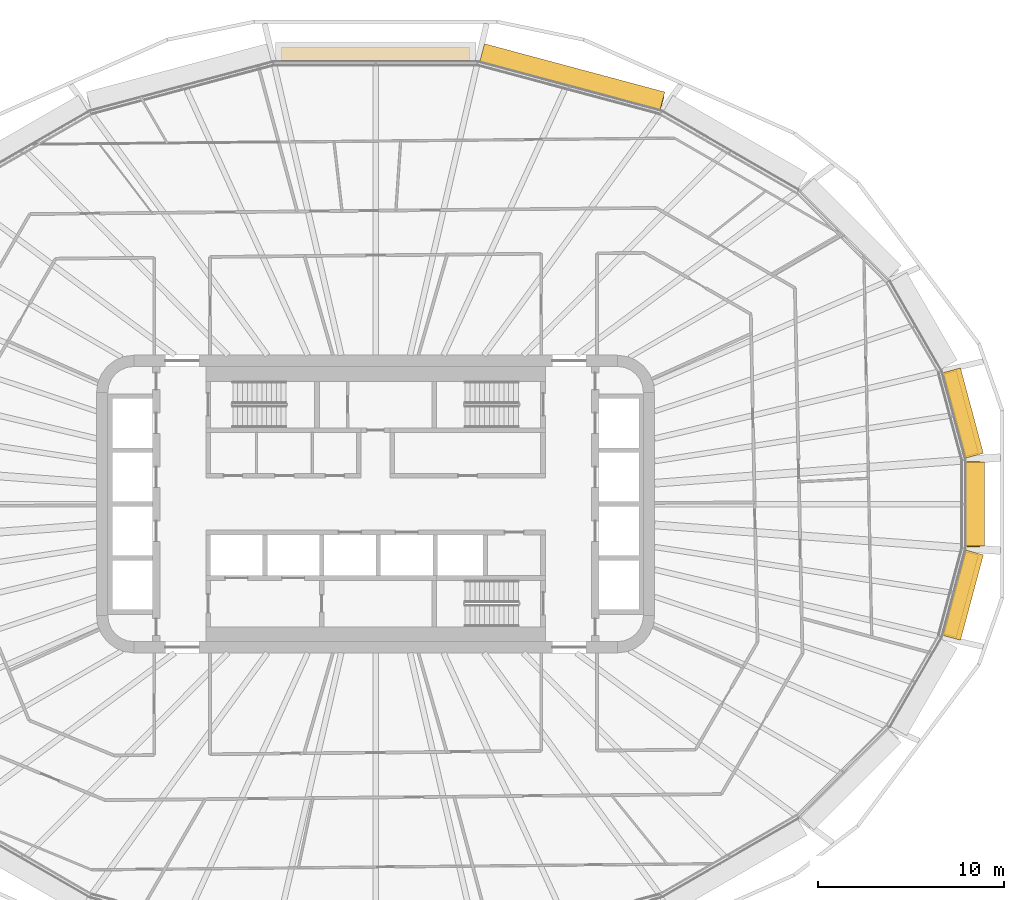
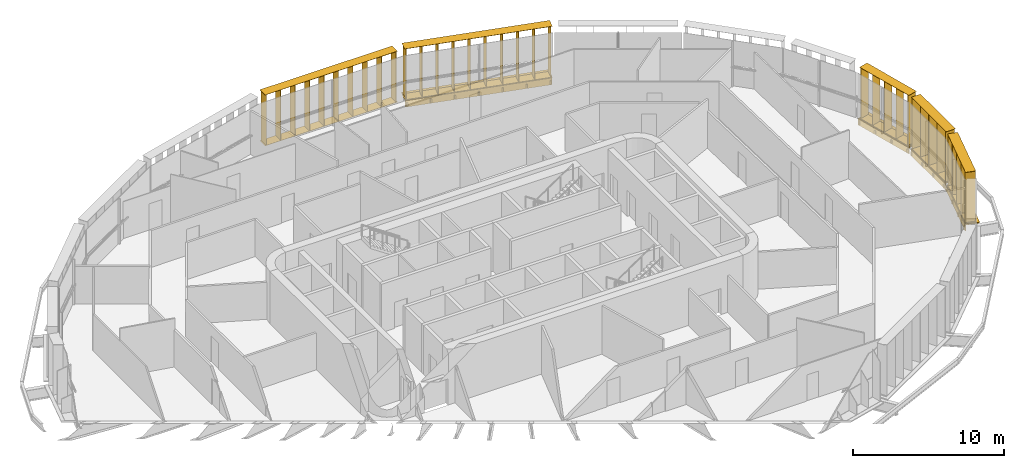
# One storey, part 26 of 26: 9 shading devices.
"""IFC4 building model written with IfcOpenShell, lengths in metres."""

from ifc_helpers import new_model, si_unit, direction, frame, origin, origin_2d, place, context, subcontext, project, spatial, rectangle, extrude, material, type_object, element, save


model = new_model("IFC4")

# Units and contexts
model_context = context("Model", 3, precision=1e-05, world=origin(), true_north=direction((0.0, 1.0)))
body_context = subcontext(model_context, "Body", "Model", "MODEL_VIEW")
ifc_project = project(units=[si_unit("LENGTHUNIT", "METRE"), si_unit("AREAUNIT", "SQUARE_METRE"), si_unit("VOLUMEUNIT", "CUBIC_METRE"), si_unit("PLANEANGLEUNIT", "RADIAN"), si_unit("MASSUNIT", "GRAM", prefix="KILO")], contexts=[model_context])

# Site, building, storey
site_placement = place(None, origin())
site = spatial("IfcSite", under=ifc_project, at=site_placement, CompositionType="ELEMENT")
building_placement = place(site_placement, origin())
building = spatial("IfcBuilding", under=site, at=building_placement, Name="Sahrelin Media Tower", CompositionType="ELEMENT")
storey_placement = place(building_placement, frame((0.0, 0.0, 92.39990234375)))
storey = spatial("IfcBuildingStorey", under=building, at=storey_placement, Name="L17", CompositionType="ELEMENT", Elevation=92.39990234375)

# Shading devices
ifc_material = material(Name="Champagne anodised aluminium 6063-T6", Category="aluminium")
shading_device_type_1 = type_object("IfcShadingDeviceType", Name="Fin cassette", PredefinedType="USERDEFINED", material=ifc_material)
placement_1 = place(storey_placement, frame((31.711181640625, 0.0, 0.0), z_axis=(0.0, 0.0, 1.0), x_axis=(0.0, -1.0, 0.0)))
element("IfcShadingDevice", 1, at=placement_1, inside=storey, type_object=shading_device_type_1, Name="L17:FIN:L17-00", ObjectType="FIN", PredefinedType="USERDEFINED", context=body_context, shape_type="SweptSolid", body=[
    extrude(rectangle(XDim=4.60009765625, YDim=0.699951171875, at=origin_2d()), frame((0.0, 0.419921875, 0.0)), (0.0, 0.0, 1.0), 0.02001953125),
    extrude(rectangle(XDim=4.60009765625, YDim=0.699951171875, at=origin_2d()), frame((0.0, 0.419921875, 4.10009765625)), (0.0, 0.0, 1.0), 0.02001953125),
    extrude(rectangle(XDim=0.02001953125, YDim=0.699951171875, at=origin_2d()), frame((-2.199951171875, 0.419921875, 0.010009765625), z_axis=(0.0, 0.0, 1.0), x_axis=(1.0, 0.0, 0.0)), (0.0, 0.0, 1.0), 4.10009765625),
    extrude(rectangle(XDim=0.02001953125, YDim=0.699951171875, at=origin_2d()), frame((-1.10009765625, 0.419921875, 0.010009765625), z_axis=(0.0, 0.0, 1.0), x_axis=(1.0, 0.0, 0.0)), (0.0, 0.0, 1.0), 4.10009765625),
    extrude(rectangle(XDim=0.02001953125, YDim=0.699951171875, at=origin_2d()), frame((0.0, 0.419921875, 0.010009765625), z_axis=(0.0, 0.0, 1.0), x_axis=(1.0, 0.0, 0.0)), (0.0, 0.0, 1.0), 4.10009765625),
    extrude(rectangle(XDim=0.02001953125, YDim=0.699951171875, at=origin_2d()), frame((1.10009765625, 0.419921875, 0.010009765625), z_axis=(0.0, 0.0, 1.0), x_axis=(1.0, 0.0, 0.0)), (0.0, 0.0, 1.0), 4.10009765625),
    extrude(rectangle(XDim=0.02001953125, YDim=0.699951171875, at=origin_2d()), frame((2.199951171875, 0.419921875, 0.010009765625), z_axis=(0.0, 0.0, 1.0), x_axis=(1.0, 0.0, 0.0)), (0.0, 0.0, 1.0), 4.10009765625),
])
placement_2 = place(storey_placement, frame((31.07080078125, 4.757568359375, 0.0), z_axis=(0.0, 0.0, 1.0), x_axis=(0.258807731996, -0.965928857556, 0.0)))
element("IfcShadingDevice", 2, at=placement_2, inside=storey, type_object=shading_device_type_1, Name="L17:FIN:L17-01", ObjectType="FIN", PredefinedType="USERDEFINED", context=body_context, shape_type="SweptSolid", body=[
    extrude(rectangle(XDim=4.60009765625, YDim=0.699951171875, at=origin_2d()), frame((0.0, 0.419921875, 0.0)), (0.0, 0.0, 1.0), 0.02001953125),
    extrude(rectangle(XDim=4.60009765625, YDim=0.699951171875, at=origin_2d()), frame((0.0, 0.419921875, 4.10009765625)), (0.0, 0.0, 1.0), 0.02001953125),
    extrude(rectangle(XDim=0.02001953125, YDim=0.699951171875, at=origin_2d()), frame((-2.199951171875, 0.419921875, 0.010009765625), z_axis=(0.0, 0.0, 1.0), x_axis=(1.0, 0.0, 0.0)), (0.0, 0.0, 1.0), 4.10009765625),
    extrude(rectangle(XDim=0.02001953125, YDim=0.699951171875, at=origin_2d()), frame((-1.10009765625, 0.419921875, 0.010009765625), z_axis=(0.0, 0.0, 1.0), x_axis=(1.0, 0.0, 0.0)), (0.0, 0.0, 1.0), 4.10009765625),
    extrude(rectangle(XDim=0.02001953125, YDim=0.699951171875, at=origin_2d()), frame((0.0, 0.419921875, 0.010009765625), z_axis=(0.0, 0.0, 1.0), x_axis=(1.0, 0.0, 0.0)), (0.0, 0.0, 1.0), 4.10009765625),
    extrude(rectangle(XDim=0.02001953125, YDim=0.699951171875, at=origin_2d()), frame((1.10009765625, 0.419921875, 0.010009765625), z_axis=(0.0, 0.0, 1.0), x_axis=(1.0, 0.0, 0.0)), (0.0, 0.0, 1.0), 4.10009765625),
    extrude(rectangle(XDim=0.02001953125, YDim=0.699951171875, at=origin_2d()), frame((2.199951171875, 0.419921875, 0.010009765625), z_axis=(0.0, 0.0, 1.0), x_axis=(1.0, 0.0, 0.0)), (0.0, 0.0, 1.0), 4.10009765625),
])
placement_3 = place(storey_placement, frame((10.436279296875, 22.4619140625, 0.0), z_axis=(0.0, 0.0, 1.0), x_axis=(0.965928857556, -0.258807731996, 0.0)))
element("IfcShadingDevice", 3, at=placement_3, inside=storey, type_object=shading_device_type_1, Name="L17:FIN:L17-05", ObjectType="FIN", PredefinedType="USERDEFINED", context=body_context, shape_type="SweptSolid", body=[
    extrude(rectangle(XDim=10.10009765625, YDim=0.699951171875, at=origin_2d()), frame((0.0, 0.419921875, 0.0)), (0.0, 0.0, 1.0), 0.02001953125),
    extrude(rectangle(XDim=10.10009765625, YDim=0.699951171875, at=origin_2d()), frame((0.0, 0.419921875, 4.10009765625)), (0.0, 0.0, 1.0), 0.02001953125),
    extrude(rectangle(XDim=0.02001953125, YDim=0.699951171875, at=origin_2d()), frame((-4.949951171875, 0.419921875, 0.010009765625), z_axis=(0.0, 0.0, 1.0), x_axis=(1.0, 0.0, 0.0)), (0.0, 0.0, 1.0), 4.10009765625),
    extrude(rectangle(XDim=0.02001953125, YDim=0.699951171875, at=origin_2d()), frame((-3.85009765625, 0.419921875, 0.010009765625), z_axis=(0.0, 0.0, 1.0), x_axis=(1.0, 0.0, 0.0)), (0.0, 0.0, 1.0), 4.10009765625),
    extrude(rectangle(XDim=0.02001953125, YDim=0.699951171875, at=origin_2d()), frame((-2.75, 0.419921875, 0.010009765625), z_axis=(0.0, 0.0, 1.0), x_axis=(1.0, 0.0, 0.0)), (0.0, 0.0, 1.0), 4.10009765625),
    extrude(rectangle(XDim=0.02001953125, YDim=0.699951171875, at=origin_2d()), frame((-1.64990234375, 0.419921875, 0.010009765625), z_axis=(0.0, 0.0, 1.0), x_axis=(1.0, 0.0, 0.0)), (0.0, 0.0, 1.0), 4.10009765625),
    extrude(rectangle(XDim=0.02001953125, YDim=0.699951171875, at=origin_2d()), frame((-0.550048828125, 0.419921875, 0.010009765625), z_axis=(0.0, 0.0, 1.0), x_axis=(1.0, 0.0, 0.0)), (0.0, 0.0, 1.0), 4.10009765625),
    extrude(rectangle(XDim=0.02001953125, YDim=0.699951171875, at=origin_2d()), frame((0.550048828125, 0.419921875, 0.010009765625), z_axis=(0.0, 0.0, 1.0), x_axis=(1.0, 0.0, 0.0)), (0.0, 0.0, 1.0), 4.10009765625),
    extrude(rectangle(XDim=0.02001953125, YDim=0.699951171875, at=origin_2d()), frame((1.64990234375, 0.419921875, 0.010009765625), z_axis=(0.0, 0.0, 1.0), x_axis=(1.0, 0.0, 0.0)), (0.0, 0.0, 1.0), 4.10009765625),
    extrude(rectangle(XDim=0.02001953125, YDim=0.699951171875, at=origin_2d()), frame((2.75, 0.419921875, 0.010009765625), z_axis=(0.0, 0.0, 1.0), x_axis=(1.0, 0.0, 0.0)), (0.0, 0.0, 1.0), 4.10009765625),
    extrude(rectangle(XDim=0.02001953125, YDim=0.699951171875, at=origin_2d()), frame((3.85009765625, 0.419921875, 0.010009765625), z_axis=(0.0, 0.0, 1.0), x_axis=(1.0, 0.0, 0.0)), (0.0, 0.0, 1.0), 4.10009765625),
    extrude(rectangle(XDim=0.02001953125, YDim=0.699951171875, at=origin_2d()), frame((4.949951171875, 0.419921875, 0.010009765625), z_axis=(0.0, 0.0, 1.0), x_axis=(1.0, 0.0, 0.0)), (0.0, 0.0, 1.0), 4.10009765625),
])
shading_device_4_placement = place(storey_placement, frame((0.0, 23.786376953125, 0.0), z_axis=(0.0, 0.0, 1.0), x_axis=(1.0, 0.0, 0.0)))
element("IfcShadingDevice", 4, at=shading_device_4_placement, inside=storey, type_object=shading_device_type_1, Name="L17:FIN:L17-06", ObjectType="FIN", PredefinedType="USERDEFINED", context=body_context, shape_type="SweptSolid", body=[
    extrude(rectangle(XDim=10.10009765625, YDim=0.699951171875, at=origin_2d()), frame((0.0, 0.419921875, 0.0)), (0.0, 0.0, 1.0), 0.02001953125),
    extrude(rectangle(XDim=10.10009765625, YDim=0.699951171875, at=origin_2d()), frame((0.0, 0.419921875, 4.10009765625)), (0.0, 0.0, 1.0), 0.02001953125),
    extrude(rectangle(XDim=0.02001953125, YDim=0.699951171875, at=origin_2d()), frame((-4.949951171875, 0.419921875, 0.010009765625), z_axis=(0.0, 0.0, 1.0), x_axis=(1.0, 0.0, 0.0)), (0.0, 0.0, 1.0), 4.10009765625),
    extrude(rectangle(XDim=0.02001953125, YDim=0.699951171875, at=origin_2d()), frame((-3.85009765625, 0.419921875, 0.010009765625), z_axis=(0.0, 0.0, 1.0), x_axis=(1.0, 0.0, 0.0)), (0.0, 0.0, 1.0), 4.10009765625),
    extrude(rectangle(XDim=0.02001953125, YDim=0.699951171875, at=origin_2d()), frame((-2.75, 0.419921875, 0.010009765625), z_axis=(0.0, 0.0, 1.0), x_axis=(1.0, 0.0, 0.0)), (0.0, 0.0, 1.0), 4.10009765625),
    extrude(rectangle(XDim=0.02001953125, YDim=0.699951171875, at=origin_2d()), frame((-1.64990234375, 0.419921875, 0.010009765625), z_axis=(0.0, 0.0, 1.0), x_axis=(1.0, 0.0, 0.0)), (0.0, 0.0, 1.0), 4.10009765625),
    extrude(rectangle(XDim=0.02001953125, YDim=0.699951171875, at=origin_2d()), frame((-0.550048828125, 0.419921875, 0.010009765625), z_axis=(0.0, 0.0, 1.0), x_axis=(1.0, 0.0, 0.0)), (0.0, 0.0, 1.0), 4.10009765625),
    extrude(rectangle(XDim=0.02001953125, YDim=0.699951171875, at=origin_2d()), frame((0.550048828125, 0.419921875, 0.010009765625), z_axis=(0.0, 0.0, 1.0), x_axis=(1.0, 0.0, 0.0)), (0.0, 0.0, 1.0), 4.10009765625),
    extrude(rectangle(XDim=0.02001953125, YDim=0.699951171875, at=origin_2d()), frame((1.64990234375, 0.419921875, 0.010009765625), z_axis=(0.0, 0.0, 1.0), x_axis=(1.0, 0.0, 0.0)), (0.0, 0.0, 1.0), 4.10009765625),
    extrude(rectangle(XDim=0.02001953125, YDim=0.699951171875, at=origin_2d()), frame((2.75, 0.419921875, 0.010009765625), z_axis=(0.0, 0.0, 1.0), x_axis=(1.0, 0.0, 0.0)), (0.0, 0.0, 1.0), 4.10009765625),
    extrude(rectangle(XDim=0.02001953125, YDim=0.699951171875, at=origin_2d()), frame((3.85009765625, 0.419921875, 0.010009765625), z_axis=(0.0, 0.0, 1.0), x_axis=(1.0, 0.0, 0.0)), (0.0, 0.0, 1.0), 4.10009765625),
    extrude(rectangle(XDim=0.02001953125, YDim=0.699951171875, at=origin_2d()), frame((4.949951171875, 0.419921875, 0.010009765625), z_axis=(0.0, 0.0, 1.0), x_axis=(1.0, 0.0, 0.0)), (0.0, 0.0, 1.0), 4.10009765625),
])
placement_4 = place(storey_placement, frame((31.07080078125, -4.757568359375, 0.0), z_axis=(0.0, 0.0, 1.0), x_axis=(-0.258807731996, -0.965928857556, 0.0)))
element("IfcShadingDevice", 5, at=placement_4, inside=storey, type_object=shading_device_type_1, Name="L17:FIN:L17-23", ObjectType="FIN", PredefinedType="USERDEFINED", context=body_context, shape_type="SweptSolid", body=[
    extrude(rectangle(XDim=4.60009765625, YDim=0.699951171875, at=origin_2d()), frame((0.0, 0.419921875, 0.0)), (0.0, 0.0, 1.0), 0.02001953125),
    extrude(rectangle(XDim=4.60009765625, YDim=0.699951171875, at=origin_2d()), frame((0.0, 0.419921875, 4.10009765625)), (0.0, 0.0, 1.0), 0.02001953125),
    extrude(rectangle(XDim=0.02001953125, YDim=0.699951171875, at=origin_2d()), frame((-2.199951171875, 0.419921875, 0.010009765625), z_axis=(0.0, 0.0, 1.0), x_axis=(1.0, 0.0, 0.0)), (0.0, 0.0, 1.0), 4.10009765625),
    extrude(rectangle(XDim=0.02001953125, YDim=0.699951171875, at=origin_2d()), frame((-1.10009765625, 0.419921875, 0.010009765625), z_axis=(0.0, 0.0, 1.0), x_axis=(1.0, 0.0, 0.0)), (0.0, 0.0, 1.0), 4.10009765625),
    extrude(rectangle(XDim=0.02001953125, YDim=0.699951171875, at=origin_2d()), frame((0.0, 0.419921875, 0.010009765625), z_axis=(0.0, 0.0, 1.0), x_axis=(1.0, 0.0, 0.0)), (0.0, 0.0, 1.0), 4.10009765625),
    extrude(rectangle(XDim=0.02001953125, YDim=0.699951171875, at=origin_2d()), frame((1.10009765625, 0.419921875, 0.010009765625), z_axis=(0.0, 0.0, 1.0), x_axis=(1.0, 0.0, 0.0)), (0.0, 0.0, 1.0), 4.10009765625),
    extrude(rectangle(XDim=0.02001953125, YDim=0.699951171875, at=origin_2d()), frame((2.199951171875, 0.419921875, 0.010009765625), z_axis=(0.0, 0.0, 1.0), x_axis=(1.0, 0.0, 0.0)), (0.0, 0.0, 1.0), 4.10009765625),
])
shading_device_type_2 = type_object("IfcShadingDeviceType", Name="Sunshade band", PredefinedType="USERDEFINED", material=ifc_material)
element("IfcShadingDevice", 6, at=placement_1, inside=storey, type_object=shading_device_type_2, Name="L17:SUN:L17-00", ObjectType="SUNSHADE", PredefinedType="USERDEFINED", context=body_context, shape_type="SweptSolid", body=[
    extrude(rectangle(XDim=4.533447265625, YDim=0.050048828125, at=origin_2d()), frame((0.0, 0.044921875, -0.55126953125)), (0.0, 0.0, 1.0), 0.471435546875),
    extrude(rectangle(XDim=4.533447265625, YDim=1.0, at=origin_2d()), frame((0.0, 0.52001953125, -0.080078125)), (0.0, 0.0, 1.0), 0.080078125),
    extrude(rectangle(XDim=0.10009765625, YDim=0.074951171875, at=origin_2d()), frame((-2.166748046875, -0.017578125, -0.47021484375)), (0.0, 0.0, 1.0), 0.300048828125),
    extrude(rectangle(XDim=0.10009765625, YDim=0.074951171875, at=origin_2d()), frame((-0.72216796875, -0.017578125, -0.47021484375)), (0.0, 0.0, 1.0), 0.300048828125),
    extrude(rectangle(XDim=0.10009765625, YDim=0.074951171875, at=origin_2d()), frame((0.72216796875, -0.017578125, -0.47021484375)), (0.0, 0.0, 1.0), 0.300048828125),
    extrude(rectangle(XDim=0.10009765625, YDim=0.074951171875, at=origin_2d()), frame((2.166748046875, -0.017578125, -0.47021484375)), (0.0, 0.0, 1.0), 0.300048828125),
])
element("IfcShadingDevice", 7, at=placement_2, inside=storey, type_object=shading_device_type_2, Name="L17:SUN:L17-01", ObjectType="SUNSHADE", PredefinedType="USERDEFINED", context=body_context, shape_type="SweptSolid", body=[
    extrude(rectangle(XDim=4.75048828125, YDim=0.050048828125, at=origin_2d()), frame((0.0, 0.044921875, -0.55126953125)), (0.0, 0.0, 1.0), 0.471435546875),
    extrude(rectangle(XDim=4.75048828125, YDim=1.0, at=origin_2d()), frame((0.0, 0.52001953125, -0.080078125)), (0.0, 0.0, 1.0), 0.080078125),
    extrude(rectangle(XDim=0.10009765625, YDim=0.074951171875, at=origin_2d()), frame((-2.275390625, -0.017578125, -0.47021484375)), (0.0, 0.0, 1.0), 0.300048828125),
    extrude(rectangle(XDim=0.10009765625, YDim=0.074951171875, at=origin_2d()), frame((-0.75830078125, -0.017578125, -0.47021484375)), (0.0, 0.0, 1.0), 0.300048828125),
    extrude(rectangle(XDim=0.10009765625, YDim=0.074951171875, at=origin_2d()), frame((0.75830078125, -0.017578125, -0.47021484375)), (0.0, 0.0, 1.0), 0.300048828125),
    extrude(rectangle(XDim=0.10009765625, YDim=0.074951171875, at=origin_2d()), frame((2.275390625, -0.017578125, -0.47021484375)), (0.0, 0.0, 1.0), 0.300048828125),
])
element("IfcShadingDevice", 8, at=placement_3, inside=storey, type_object=shading_device_type_2, Name="L17:SUN:L17-05", ObjectType="SUNSHADE", PredefinedType="USERDEFINED", context=body_context, shape_type="SweptSolid", body=[
    extrude(rectangle(XDim=10.033203125, YDim=0.050048828125, at=origin_2d()), frame((0.0, 0.044921875, -0.55126953125)), (0.0, 0.0, 1.0), 0.471435546875),
    extrude(rectangle(XDim=10.033203125, YDim=1.0, at=origin_2d()), frame((0.0, 0.52001953125, -0.080078125)), (0.0, 0.0, 1.0), 0.080078125),
    extrude(rectangle(XDim=0.10009765625, YDim=0.074951171875, at=origin_2d()), frame((-4.91650390625, -0.017578125, -0.47021484375)), (0.0, 0.0, 1.0), 0.300048828125),
    extrude(rectangle(XDim=0.10009765625, YDim=0.074951171875, at=origin_2d()), frame((-3.277587890625, -0.017578125, -0.47021484375)), (0.0, 0.0, 1.0), 0.300048828125),
    extrude(rectangle(XDim=0.10009765625, YDim=0.074951171875, at=origin_2d()), frame((-1.638916015625, -0.017578125, -0.47021484375)), (0.0, 0.0, 1.0), 0.300048828125),
    extrude(rectangle(XDim=0.10009765625, YDim=0.074951171875, at=origin_2d()), frame((0.0, -0.017578125, -0.47021484375)), (0.0, 0.0, 1.0), 0.300048828125),
    extrude(rectangle(XDim=0.10009765625, YDim=0.074951171875, at=origin_2d()), frame((1.638916015625, -0.017578125, -0.47021484375)), (0.0, 0.0, 1.0), 0.300048828125),
    extrude(rectangle(XDim=0.10009765625, YDim=0.074951171875, at=origin_2d()), frame((3.277587890625, -0.017578125, -0.47021484375)), (0.0, 0.0, 1.0), 0.300048828125),
    extrude(rectangle(XDim=0.10009765625, YDim=0.074951171875, at=origin_2d()), frame((4.91650390625, -0.017578125, -0.47021484375)), (0.0, 0.0, 1.0), 0.300048828125),
])
element("IfcShadingDevice", 9, at=placement_4, inside=storey, type_object=shading_device_type_2, Name="L17:SUN:L17-23", ObjectType="SUNSHADE", PredefinedType="USERDEFINED", context=body_context, shape_type="SweptSolid", body=[
    extrude(rectangle(XDim=4.75048828125, YDim=0.050048828125, at=origin_2d()), frame((0.0, 0.044921875, -0.55126953125)), (0.0, 0.0, 1.0), 0.471435546875),
    extrude(rectangle(XDim=4.75048828125, YDim=1.0, at=origin_2d()), frame((0.0, 0.52001953125, -0.080078125)), (0.0, 0.0, 1.0), 0.080078125),
    extrude(rectangle(XDim=0.10009765625, YDim=0.074951171875, at=origin_2d()), frame((-2.275390625, -0.017578125, -0.47021484375)), (0.0, 0.0, 1.0), 0.300048828125),
    extrude(rectangle(XDim=0.10009765625, YDim=0.074951171875, at=origin_2d()), frame((-0.75830078125, -0.017578125, -0.47021484375)), (0.0, 0.0, 1.0), 0.300048828125),
    extrude(rectangle(XDim=0.10009765625, YDim=0.074951171875, at=origin_2d()), frame((0.75830078125, -0.017578125, -0.47021484375)), (0.0, 0.0, 1.0), 0.300048828125),
    extrude(rectangle(XDim=0.10009765625, YDim=0.074951171875, at=origin_2d()), frame((2.275390625, -0.017578125, -0.47021484375)), (0.0, 0.0, 1.0), 0.300048828125),
])

save(model, "model.ifc")
